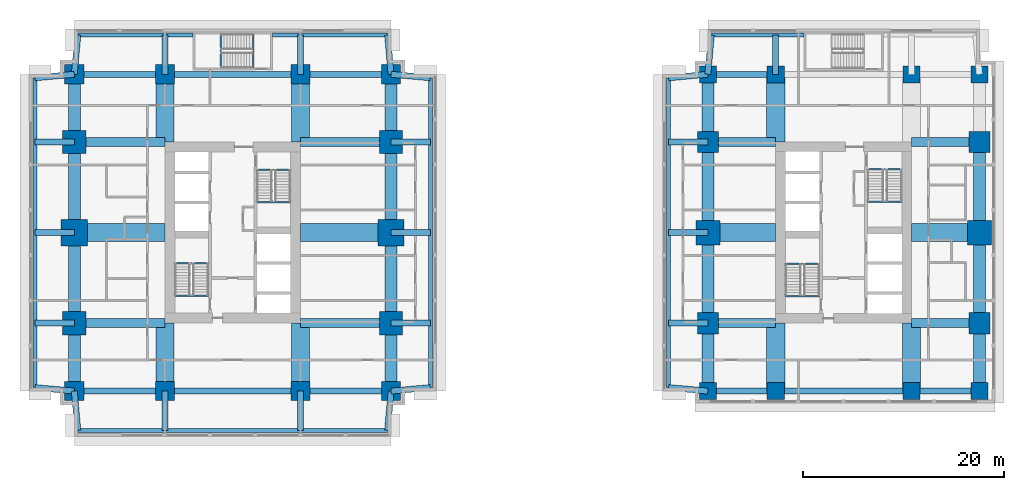
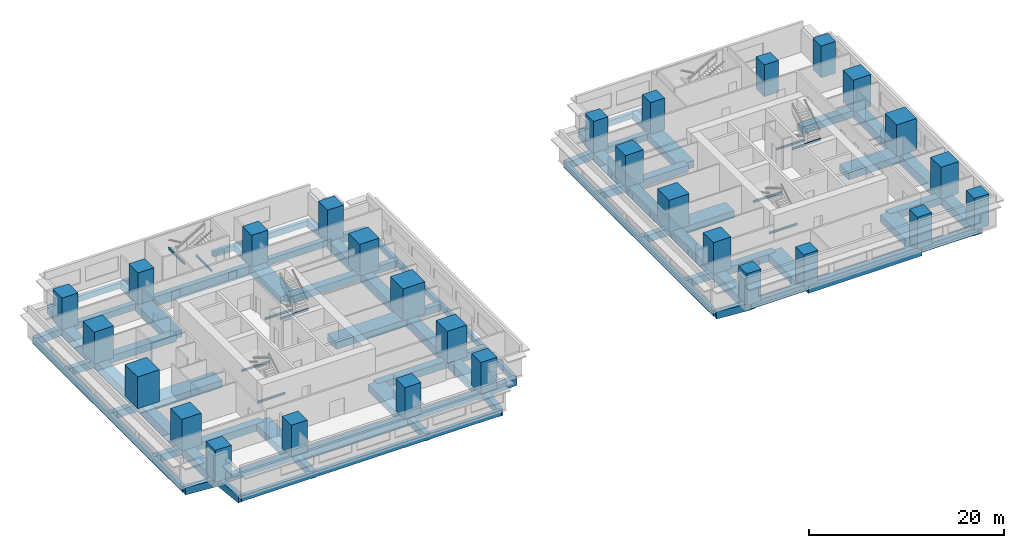
# One storey, part 1 of 11: 86 beams, 28 columns.
"""IFC4 building model written with IfcOpenShell, lengths in metres."""

from ifc_helpers import new_model, si_unit, direction, frame, origin, origin_2d, place, context, subcontext, project, spatial, rectangle, i_section, extrude, material, material_profile, profile_set, type_object, element, save


model = new_model("IFC4")

# Units and contexts
model_context = context("Model", 3, precision=1e-05, world=origin(), true_north=direction((0.0, 1.0)))
body_context = subcontext(model_context, "Body", "Model", "MODEL_VIEW")
ifc_project = project(units=[si_unit("LENGTHUNIT", "METRE"), si_unit("AREAUNIT", "SQUARE_METRE"), si_unit("VOLUMEUNIT", "CUBIC_METRE"), si_unit("PLANEANGLEUNIT", "RADIAN"), si_unit("MASSUNIT", "GRAM", prefix="KILO")], contexts=[model_context])

# Site, building, storey
site_placement = place(None, origin())
site = spatial("IfcSite", under=ifc_project, at=site_placement, CompositionType="ELEMENT")
building_placement = place(site_placement, origin())
building = spatial("IfcBuilding", under=site, at=building_placement, Name="Namib Vertical Campus", CompositionType="ELEMENT")
storey_placement = place(building_placement, frame((0.0, 0.0, 93.0)))
storey = spatial("IfcBuildingStorey", under=building, at=storey_placement, Name="L21", CompositionType="ELEMENT", Elevation=93.0)

# Columns
ifc_material_1 = material(Name="Concrete C60/75", Category="concrete")
ifc_material_profile_1 = material_profile(ifc_material_1, rectangle(XDim=1.699951171875, YDim=1.699951171875, at=origin_2d()))
ifc_profile_set_1 = profile_set([ifc_material_profile_1], Name="Concrete C60/75")
column_type_1 = type_object("IfcColumnType", Name="Column RC 1700x1700", PredefinedType="COLUMN", material=ifc_profile_set_1)
for number, where, z_axis, x_axis, name in (
    (1, (67.5, 4.5, 0.0), (0.0, 0.0, 1.0), (1.0, 0.0, 0.0), "Column C170 L21"),
    (2, (74.25, 4.5, 0.0), (0.0, 0.0, 1.0), (1.0, 0.0, 0.0), "Column C170 L21"),
    (3, (87.75, 4.5, 0.0), (0.0, 0.0, 1.0), (1.0, 0.0, 0.0), "Column C170 L21"),
    (4, (94.5, 4.5, 0.0), (0.0, 0.0, 1.0), (1.0, 0.0, 0.0), "Column C170 L21"),
    (5, (67.5, 36.0, 0.0), (0.0, 0.0, 1.0), (1.0, 0.0, 0.0), "Column C170 L21"),
    (6, (74.25, 36.0, 0.0), (0.0, 0.0, 1.0), (1.0, 0.0, 0.0), "Column C170 L21"),
    (7, (87.75, 36.0, 0.0), (0.0, 0.0, 1.0), (1.0, 0.0, 0.0), "Column C170 L21"),
    (8, (94.5, 36.0, 0.0), (0.0, 0.0, 1.0), (1.0, 0.0, 0.0), "Column C170 L21"),
):
    element("IfcColumn", number, at=place(storey_placement, frame(where, z_axis=z_axis, x_axis=x_axis)), inside=storey, type_object=column_type_1, Name=name, PredefinedType="COLUMN", context=body_context, shape_type="SweptSolid", body=[
        extrude(rectangle(XDim=1.699951171875, YDim=1.699951171875, at=origin_2d()), origin(), (0.0, 0.0, 1.0), 4.0),
    ])
ifc_material_2 = material(Name="Concrete C60/75", Category="concrete")
ifc_material_profile_2 = material_profile(ifc_material_2, rectangle(XDim=1.89990234375, YDim=1.89990234375, at=origin_2d()))
ifc_profile_set_2 = profile_set([ifc_material_profile_2], Name="Concrete C60/75")
column_type_2 = type_object("IfcColumnType", Name="Column RC 1900x1900", PredefinedType="COLUMN", material=ifc_profile_set_2)
for number, where, z_axis, x_axis, name in (
    (9, (4.5, 4.5, 0.0), (0.0, 0.0, 1.0), (1.0, 0.0, 0.0), "Column C190 L21"),
    (10, (13.5, 4.5, 0.0), (0.0, 0.0, 1.0), (1.0, 0.0, 0.0), "Column C190 L21"),
    (11, (27.0, 4.5, 0.0), (0.0, 0.0, 1.0), (1.0, 0.0, 0.0), "Column C190 L21"),
    (12, (36.0, 4.5, 0.0), (0.0, 0.0, 1.0), (1.0, 0.0, 0.0), "Column C190 L21"),
    (13, (4.5, 36.0, 0.0), (0.0, 0.0, 1.0), (1.0, 0.0, 0.0), "Column C190 L21"),
    (14, (13.5, 36.0, 0.0), (0.0, 0.0, 1.0), (1.0, 0.0, 0.0), "Column C190 L21"),
    (15, (27.0, 36.0, 0.0), (0.0, 0.0, 1.0), (1.0, 0.0, 0.0), "Column C190 L21"),
    (16, (36.0, 36.0, 0.0), (0.0, 0.0, 1.0), (1.0, 0.0, 0.0), "Column C190 L21"),
):
    element("IfcColumn", number, at=place(storey_placement, frame(where, z_axis=z_axis, x_axis=x_axis)), inside=storey, type_object=column_type_2, Name=name, PredefinedType="COLUMN", context=body_context, shape_type="SweptSolid", body=[
        extrude(rectangle(XDim=1.89990234375, YDim=1.89990234375, at=origin_2d()), origin(), (0.0, 0.0, 1.0), 4.0),
    ])
ifc_material_3 = material(Name="Concrete C60/75", Category="concrete")
ifc_material_profile_3 = material_profile(ifc_material_3, rectangle(XDim=2.10009765625, YDim=2.10009765625, at=origin_2d()))
ifc_profile_set_3 = profile_set([ifc_material_profile_3], Name="Concrete C60/75")
column_type_3 = type_object("IfcColumnType", Name="Column RC 2100x2100", PredefinedType="COLUMN", material=ifc_profile_set_3)
for number, where, z_axis, x_axis, name in (
    (17, (67.5, 11.25, 0.0), (0.0, 0.0, 1.0), (1.0, 0.0, 0.0), "Column C210 L21"),
    (18, (94.5, 11.25, 0.0), (0.0, 0.0, 1.0), (1.0, 0.0, 0.0), "Column C210 L21"),
    (19, (67.5, 29.25, 0.0), (0.0, 0.0, 1.0), (1.0, 0.0, 0.0), "Column C210 L21"),
    (20, (94.5, 29.25, 0.0), (0.0, 0.0, 1.0), (1.0, 0.0, 0.0), "Column C210 L21"),
):
    element("IfcColumn", number, at=place(storey_placement, frame(where, z_axis=z_axis, x_axis=x_axis)), inside=storey, type_object=column_type_3, Name=name, PredefinedType="COLUMN", context=body_context, shape_type="SweptSolid", body=[
        extrude(rectangle(XDim=2.10009765625, YDim=2.10009765625, at=origin_2d()), origin(), (0.0, 0.0, 1.0), 4.0),
    ])
ifc_material_4 = material(Name="Concrete C60/75", Category="concrete")
ifc_material_profile_4 = material_profile(ifc_material_4, rectangle(XDim=2.300048828125, YDim=2.300048828125, at=origin_2d()))
ifc_profile_set_4 = profile_set([ifc_material_profile_4], Name="Concrete C60/75")
column_type_4 = type_object("IfcColumnType", Name="Column RC 2300x2300", PredefinedType="COLUMN", material=ifc_profile_set_4)
for number, where, z_axis, x_axis, name in (
    (21, (4.5, 11.25, 0.0), (0.0, 0.0, 1.0), (1.0, 0.0, 0.0), "Column C230 L21"),
    (22, (36.0, 11.25, 0.0), (0.0, 0.0, 1.0), (1.0, 0.0, 0.0), "Column C230 L21"),
    (23, (4.5, 29.25, 0.0), (0.0, 0.0, 1.0), (1.0, 0.0, 0.0), "Column C230 L21"),
    (24, (36.0, 29.25, 0.0), (0.0, 0.0, 1.0), (1.0, 0.0, 0.0), "Column C230 L21"),
):
    element("IfcColumn", number, at=place(storey_placement, frame(where, z_axis=z_axis, x_axis=x_axis)), inside=storey, type_object=column_type_4, Name=name, PredefinedType="COLUMN", context=body_context, shape_type="SweptSolid", body=[
        extrude(rectangle(XDim=2.300048828125, YDim=2.300048828125, at=origin_2d()), origin(), (0.0, 0.0, 1.0), 4.0),
    ])
ifc_material_5 = material(Name="Concrete C60/75", Category="concrete")
ifc_material_profile_5 = material_profile(ifc_material_5, rectangle(XDim=2.39990234375, YDim=2.39990234375, at=origin_2d()))
ifc_profile_set_5 = profile_set([ifc_material_profile_5], Name="Concrete C60/75")
column_type_5 = type_object("IfcColumnType", Name="Column RC 2400x2400", PredefinedType="COLUMN", material=ifc_profile_set_5)
for number, where, z_axis, x_axis, name in (
    (25, (67.5, 20.25, 0.0), (0.0, 0.0, 1.0), (1.0, 0.0, 0.0), "Column C240 L21"),
    (26, (94.5, 20.25, 0.0), (0.0, 0.0, 1.0), (1.0, 0.0, 0.0), "Column C240 L21"),
):
    element("IfcColumn", number, at=place(storey_placement, frame(where, z_axis=z_axis, x_axis=x_axis)), inside=storey, type_object=column_type_5, Name=name, PredefinedType="COLUMN", context=body_context, shape_type="SweptSolid", body=[
        extrude(rectangle(XDim=2.39990234375, YDim=2.39990234375, at=origin_2d()), origin(), (0.0, 0.0, 1.0), 4.0),
    ])
ifc_material_6 = material(Name="Concrete C60/75", Category="concrete")
ifc_material_profile_6 = material_profile(ifc_material_6, rectangle(XDim=2.60009765625, YDim=2.60009765625, at=origin_2d()))
ifc_profile_set_6 = profile_set([ifc_material_profile_6], Name="Concrete C60/75")
column_type_6 = type_object("IfcColumnType", Name="Column RC 2600x2600", PredefinedType="COLUMN", material=ifc_profile_set_6)
for number, where, z_axis, x_axis, name in (
    (27, (4.5, 20.25, 0.0), (0.0, 0.0, 1.0), (1.0, 0.0, 0.0), "Column C260 L21"),
    (28, (36.0, 20.25, 0.0), (0.0, 0.0, 1.0), (1.0, 0.0, 0.0), "Column C260 L21"),
):
    element("IfcColumn", number, at=place(storey_placement, frame(where, z_axis=z_axis, x_axis=x_axis)), inside=storey, type_object=column_type_6, Name=name, PredefinedType="COLUMN", context=body_context, shape_type="SweptSolid", body=[
        extrude(rectangle(XDim=2.60009765625, YDim=2.60009765625, at=origin_2d()), origin(), (0.0, 0.0, 1.0), 4.0),
    ])

# Beams
ifc_material_7 = material(Name="Concrete C40/50", Category="concrete")
ifc_material_profile_7 = material_profile(ifc_material_7, rectangle(XDim=0.60009765625, YDim=0.89990234375, at=origin_2d()))
ifc_profile_set_7 = profile_set([ifc_material_profile_7], Name="Concrete C40/50")
beam_type_1 = type_object("IfcBeamType", Name="Cantilever girder RC 600x900", PredefinedType="BEAM", material=ifc_profile_set_7)
beam_1_placement = place(storey_placement, frame((4.5, 4.5, -0.699951171875), z_axis=(0.089411326146, -0.995994786511, 0.0), x_axis=(0.995994786511, 0.089411326146, 0.0)))
element("IfcBeam", 29, at=beam_1_placement, inside=storey, type_object=beam_type_1, Name="Beam B3 L21", PredefinedType="BEAM", context=body_context, shape_type="SweptSolid", body=[
    extrude(rectangle(XDim=0.60009765625, YDim=0.89990234375, at=origin_2d()), origin(), (0.0, 0.0, 1.0), 3.91552734375),
])
for number, where, z_axis, x_axis, name in (
    (30, (13.5, 4.5, -0.699951171875), (0.0, -1.0, 0.0), (1.0, 0.0, 0.0), "Beam B3 L21"),
    (31, (27.0, 4.5, -0.699951171875), (0.0, -1.0, 0.0), (1.0, 0.0, 0.0), "Beam B3 L21"),
):
    element("IfcBeam", number, at=place(storey_placement, frame(where, z_axis=z_axis, x_axis=x_axis)), inside=storey, type_object=beam_type_1, Name=name, PredefinedType="BEAM", context=body_context, shape_type="SweptSolid", body=[
        extrude(rectangle(XDim=0.60009765625, YDim=0.89990234375, at=origin_2d()), origin(), (0.0, 0.0, 1.0), 3.89990234375),
    ])
for number, where, z_axis, x_axis, name in (
    (32, (36.0, 4.5, -0.699951171875), (-0.089411326146, -0.995994786511, 0.0), (0.995994786511, -0.089411326146, 0.0), "Beam B3 L21"),
    (33, (4.5, 36.0, -0.699951171875), (0.089411326146, 0.995994786511, 0.0), (-0.995994786511, 0.089411326146, 0.0), "Beam B3 L21"),
):
    element("IfcBeam", number, at=place(storey_placement, frame(where, z_axis=z_axis, x_axis=x_axis)), inside=storey, type_object=beam_type_1, Name=name, PredefinedType="BEAM", context=body_context, shape_type="SweptSolid", body=[
        extrude(rectangle(XDim=0.60009765625, YDim=0.89990234375, at=origin_2d()), origin(), (0.0, 0.0, 1.0), 3.91552734375),
    ])
for number, where, z_axis, x_axis, name in (
    (34, (13.5, 36.0, -0.699951171875), (0.0, 1.0, 0.0), (-1.0, 0.0, 0.0), "Beam B3 L21"),
    (35, (27.0, 36.0, -0.699951171875), (0.0, 1.0, 0.0), (-1.0, 0.0, 0.0), "Beam B3 L21"),
):
    element("IfcBeam", number, at=place(storey_placement, frame(where, z_axis=z_axis, x_axis=x_axis)), inside=storey, type_object=beam_type_1, Name=name, PredefinedType="BEAM", context=body_context, shape_type="SweptSolid", body=[
        extrude(rectangle(XDim=0.60009765625, YDim=0.89990234375, at=origin_2d()), origin(), (0.0, 0.0, 1.0), 3.89990234375),
    ])
for number, where, z_axis, x_axis, name in (
    (36, (36.0, 36.0, -0.699951171875), (-0.089411326146, 0.995994786511, 0.0), (-0.995994786511, -0.089411326146, 0.0), "Beam B3 L21"),
    (37, (4.5, 4.5, -0.699951171875), (-0.995994786511, 0.089411326146, 0.0), (-0.089411326146, -0.995994786511, 0.0), "Beam B3 L21"),
):
    element("IfcBeam", number, at=place(storey_placement, frame(where, z_axis=z_axis, x_axis=x_axis)), inside=storey, type_object=beam_type_1, Name=name, PredefinedType="BEAM", context=body_context, shape_type="SweptSolid", body=[
        extrude(rectangle(XDim=0.60009765625, YDim=0.89990234375, at=origin_2d()), origin(), (0.0, 0.0, 1.0), 3.91552734375),
    ])
for number, where, z_axis, x_axis, name in (
    (38, (4.5, 11.25, -0.699951171875), (-1.0, 0.0, 0.0), (0.0, -1.0, 0.0), "Beam B3 L21"),
    (39, (4.5, 20.25, -0.699951171875), (-1.0, 0.0, 0.0), (0.0, -1.0, 0.0), "Beam B3 L21"),
    (40, (4.5, 29.25, -0.699951171875), (-1.0, 0.0, 0.0), (0.0, -1.0, 0.0), "Beam B3 L21"),
):
    element("IfcBeam", number, at=place(storey_placement, frame(where, z_axis=z_axis, x_axis=x_axis)), inside=storey, type_object=beam_type_1, Name=name, PredefinedType="BEAM", context=body_context, shape_type="SweptSolid", body=[
        extrude(rectangle(XDim=0.60009765625, YDim=0.89990234375, at=origin_2d()), origin(), (0.0, 0.0, 1.0), 3.89990234375),
    ])
for number, where, z_axis, x_axis, name in (
    (41, (4.5, 36.0, -0.699951171875), (-0.995994786511, -0.089411326146, 0.0), (0.089411326146, -0.995994786511, 0.0), "Beam B3 L21"),
    (42, (36.0, 4.5, -0.699951171875), (0.995994786511, 0.089411326146, 0.0), (-0.089411326146, 0.995994786511, 0.0), "Beam B3 L21"),
):
    element("IfcBeam", number, at=place(storey_placement, frame(where, z_axis=z_axis, x_axis=x_axis)), inside=storey, type_object=beam_type_1, Name=name, PredefinedType="BEAM", context=body_context, shape_type="SweptSolid", body=[
        extrude(rectangle(XDim=0.60009765625, YDim=0.89990234375, at=origin_2d()), origin(), (0.0, 0.0, 1.0), 3.91552734375),
    ])
for number, where, z_axis, x_axis, name in (
    (43, (36.0, 11.25, -0.699951171875), (1.0, 0.0, 0.0), (0.0, 1.0, 0.0), "Beam B3 L21"),
    (44, (36.0, 20.25, -0.699951171875), (1.0, 0.0, 0.0), (0.0, 1.0, 0.0), "Beam B3 L21"),
    (45, (36.0, 29.25, -0.699951171875), (1.0, 0.0, 0.0), (0.0, 1.0, 0.0), "Beam B3 L21"),
):
    element("IfcBeam", number, at=place(storey_placement, frame(where, z_axis=z_axis, x_axis=x_axis)), inside=storey, type_object=beam_type_1, Name=name, PredefinedType="BEAM", context=body_context, shape_type="SweptSolid", body=[
        extrude(rectangle(XDim=0.60009765625, YDim=0.89990234375, at=origin_2d()), origin(), (0.0, 0.0, 1.0), 3.89990234375),
    ])
for number, where, z_axis, x_axis, name in (
    (46, (36.0, 36.0, -0.699951171875), (0.995994786511, -0.089411326146, 0.0), (0.089411326146, 0.995994786511, 0.0), "Beam B3 L21"),
    (47, (67.5, 36.0, -0.699951171875), (0.089411326146, 0.995994786511, 0.0), (-0.995994786511, 0.089411326146, 0.0), "Beam B3 L21"),
):
    element("IfcBeam", number, at=place(storey_placement, frame(where, z_axis=z_axis, x_axis=x_axis)), inside=storey, type_object=beam_type_1, Name=name, PredefinedType="BEAM", context=body_context, shape_type="SweptSolid", body=[
        extrude(rectangle(XDim=0.60009765625, YDim=0.89990234375, at=origin_2d()), origin(), (0.0, 0.0, 1.0), 3.91552734375),
    ])
beam_2_placement = place(storey_placement, frame((74.25, 36.0, -0.699951171875), z_axis=(0.0, 1.0, 0.0), x_axis=(-1.0, 0.0, 0.0)))
element("IfcBeam", 48, at=beam_2_placement, inside=storey, type_object=beam_type_1, Name="Beam B3 L21", PredefinedType="BEAM", context=body_context, shape_type="SweptSolid", body=[
    extrude(rectangle(XDim=0.60009765625, YDim=0.89990234375, at=origin_2d()), origin(), (0.0, 0.0, 1.0), 3.89990234375),
])
beam_3_placement = place(storey_placement, frame((67.5, 4.5, -0.699951171875), z_axis=(-0.995994786511, 0.089411326146, 0.0), x_axis=(-0.089411326146, -0.995994786511, 0.0)))
element("IfcBeam", 49, at=beam_3_placement, inside=storey, type_object=beam_type_1, Name="Beam B3 L21", PredefinedType="BEAM", context=body_context, shape_type="SweptSolid", body=[
    extrude(rectangle(XDim=0.60009765625, YDim=0.89990234375, at=origin_2d()), origin(), (0.0, 0.0, 1.0), 3.91552734375),
])
for number, where, z_axis, x_axis, name in (
    (50, (67.5, 11.25, -0.699951171875), (-1.0, 0.0, 0.0), (0.0, -1.0, 0.0), "Beam B3 L21"),
    (51, (67.5, 20.25, -0.699951171875), (-1.0, 0.0, 0.0), (0.0, -1.0, 0.0), "Beam B3 L21"),
    (52, (67.5, 29.25, -0.699951171875), (-1.0, 0.0, 0.0), (0.0, -1.0, 0.0), "Beam B3 L21"),
):
    element("IfcBeam", number, at=place(storey_placement, frame(where, z_axis=z_axis, x_axis=x_axis)), inside=storey, type_object=beam_type_1, Name=name, PredefinedType="BEAM", context=body_context, shape_type="SweptSolid", body=[
        extrude(rectangle(XDim=0.60009765625, YDim=0.89990234375, at=origin_2d()), origin(), (0.0, 0.0, 1.0), 3.89990234375),
    ])
beam_4_placement = place(storey_placement, frame((67.5, 36.0, -0.699951171875), z_axis=(-0.995994786511, -0.089411326146, 0.0), x_axis=(0.089411326146, -0.995994786511, 0.0)))
element("IfcBeam", 53, at=beam_4_placement, inside=storey, type_object=beam_type_1, Name="Beam B3 L21", PredefinedType="BEAM", context=body_context, shape_type="SweptSolid", body=[
    extrude(rectangle(XDim=0.60009765625, YDim=0.89990234375, at=origin_2d()), origin(), (0.0, 0.0, 1.0), 3.91552734375),
])
ifc_material_8 = material(Name="Concrete C40/50", Category="concrete")
ifc_material_profile_8 = material_profile(ifc_material_8, rectangle(XDim=0.39990234375, YDim=0.699951171875, at=origin_2d()))
ifc_profile_set_8 = profile_set([ifc_material_profile_8], Name="Concrete C40/50")
beam_type_2 = type_object("IfcBeamType", Name="Edge beam RC 400x700", PredefinedType="SPANDREL", material=ifc_profile_set_8)
beam_5_placement = place(storey_placement, frame((4.85009765625, 0.60009765625, -0.60009765625), z_axis=(1.0, 0.0, 0.0), x_axis=(0.0, 1.0, 0.0)))
element("IfcBeam", 54, at=beam_5_placement, inside=storey, type_object=beam_type_2, Name="Beam B4 L21", PredefinedType="SPANDREL", context=body_context, shape_type="SweptSolid", body=[
    extrude(rectangle(XDim=0.39990234375, YDim=0.699951171875, at=origin_2d()), origin(), (0.0, 0.0, 1.0), 30.7998046875),
])
for number, where, z_axis, x_axis, name in (
    (55, (4.85009765625, 39.89990234375, -0.60009765625), (1.0, 0.0, 0.0), (0.0, 1.0, 0.0), "Beam B4 L21"),
    (56, (24.199951171875, 39.89990234375, -0.60009765625), (1.0, 0.0, 0.0), (0.0, 1.0, 0.0), "Beam B4 L21"),
):
    element("IfcBeam", number, at=place(storey_placement, frame(where, z_axis=z_axis, x_axis=x_axis)), inside=storey, type_object=beam_type_2, Name=name, PredefinedType="SPANDREL", context=body_context, shape_type="SweptSolid", body=[
        extrude(rectangle(XDim=0.39990234375, YDim=0.699951171875, at=origin_2d()), origin(), (0.0, 0.0, 1.0), 11.449951171875),
    ])
for number, where, z_axis, x_axis, name in (
    (57, (0.60009765625, 4.85009765625, -0.60009765625), (0.0, 1.0, 0.0), (-1.0, 0.0, 0.0), "Beam B4 L21"),
    (58, (39.89990234375, 4.85009765625, -0.60009765625), (0.0, 1.0, 0.0), (-1.0, 0.0, 0.0), "Beam B4 L21"),
):
    element("IfcBeam", number, at=place(storey_placement, frame(where, z_axis=z_axis, x_axis=x_axis)), inside=storey, type_object=beam_type_2, Name=name, PredefinedType="SPANDREL", context=body_context, shape_type="SweptSolid", body=[
        extrude(rectangle(XDim=0.39990234375, YDim=0.699951171875, at=origin_2d()), origin(), (0.0, 0.0, 1.0), 30.7998046875),
    ])
beam_6_placement = place(storey_placement, frame((67.85009765625, 39.89990234375, -0.60009765625), z_axis=(1.0, 0.0, 0.0), x_axis=(0.0, 1.0, 0.0)))
element("IfcBeam", 59, at=beam_6_placement, inside=storey, type_object=beam_type_2, Name="Beam B4 L21", PredefinedType="SPANDREL", context=body_context, shape_type="SweptSolid", body=[
    extrude(rectangle(XDim=0.39990234375, YDim=0.699951171875, at=origin_2d()), origin(), (0.0, 0.0, 1.0), 9.199951171875),
])
beam_7_placement = place(storey_placement, frame((63.60009765625, 4.85009765625, -0.60009765625), z_axis=(0.0, 1.0, 0.0), x_axis=(-1.0, 0.0, 0.0)))
element("IfcBeam", 60, at=beam_7_placement, inside=storey, type_object=beam_type_2, Name="Beam B4 L21", PredefinedType="SPANDREL", context=body_context, shape_type="SweptSolid", body=[
    extrude(rectangle(XDim=0.39990234375, YDim=0.699951171875, at=origin_2d()), origin(), (0.0, 0.0, 1.0), 30.7998046875),
])
ifc_material_9 = material(Name="Concrete C40/50", Category="concrete")
ifc_material_profile_9 = material_profile(ifc_material_9, rectangle(XDim=0.89990234375, YDim=0.89990234375, at=origin_2d()))
ifc_profile_set_9 = profile_set([ifc_material_profile_9], Name="Concrete C40/50")
beam_type_3 = type_object("IfcBeamType", Name="Face girder RC 900x900", PredefinedType="BEAM", material=ifc_profile_set_9)
for number, where, z_axis, x_axis, name in (
    (61, (4.5, 11.25, -0.699951171875), (1.0, 0.0, 0.0), (0.0, 1.0, 0.0), "Beam B10 L21"),
    (62, (36.0, 11.25, -0.699951171875), (-1.0, 0.0, 0.0), (0.0, -1.0, 0.0), "Beam B10 L21"),
    (63, (4.5, 29.25, -0.699951171875), (1.0, 0.0, 0.0), (0.0, 1.0, 0.0), "Beam B10 L21"),
    (64, (36.0, 29.25, -0.699951171875), (-1.0, 0.0, 0.0), (0.0, -1.0, 0.0), "Beam B10 L21"),
):
    element("IfcBeam", number, at=place(storey_placement, frame(where, z_axis=z_axis, x_axis=x_axis)), inside=storey, type_object=beam_type_3, Name=name, PredefinedType="BEAM", context=body_context, shape_type="SweptSolid", body=[
        extrude(rectangle(XDim=0.89990234375, YDim=0.89990234375, at=origin_2d()), origin(), (0.0, 0.0, 1.0), 9.0),
    ])
for number, where, z_axis, x_axis, name in (
    (65, (67.5, 11.25, -0.699951171875), (1.0, 0.0, 0.0), (0.0, 1.0, 0.0), "Beam B10 L21"),
    (66, (94.5, 11.25, -0.699951171875), (-1.0, 0.0, 0.0), (0.0, -1.0, 0.0), "Beam B10 L21"),
    (67, (67.5, 29.25, -0.699951171875), (1.0, 0.0, 0.0), (0.0, 1.0, 0.0), "Beam B10 L21"),
    (68, (94.5, 29.25, -0.699951171875), (-1.0, 0.0, 0.0), (0.0, -1.0, 0.0), "Beam B10 L21"),
):
    element("IfcBeam", number, at=place(storey_placement, frame(where, z_axis=z_axis, x_axis=x_axis)), inside=storey, type_object=beam_type_3, Name=name, PredefinedType="BEAM", context=body_context, shape_type="SweptSolid", body=[
        extrude(rectangle(XDim=0.89990234375, YDim=0.89990234375, at=origin_2d()), origin(), (0.0, 0.0, 1.0), 6.75),
    ])
ifc_material_10 = material(Name="Concrete C40/50", Category="concrete")
ifc_material_profile_10 = material_profile(ifc_material_10, rectangle(XDim=1.199951171875, YDim=1.10009765625, at=origin_2d()))
ifc_profile_set_10 = profile_set([ifc_material_profile_10], Name="Concrete C40/50")
beam_type_4 = type_object("IfcBeamType", Name="Face ring beam RC 1200x1100", PredefinedType="BEAM", material=ifc_profile_set_10)
beam_8_placement = place(storey_placement, frame((4.5, 4.5, -0.800048828125), z_axis=(0.0, 1.0, 0.0), x_axis=(-1.0, 0.0, 0.0)))
element("IfcBeam", 69, at=beam_8_placement, inside=storey, type_object=beam_type_4, Name="Beam B11 L21", PredefinedType="BEAM", context=body_context, shape_type="SweptSolid", body=[
    extrude(rectangle(XDim=1.199951171875, YDim=1.10009765625, at=origin_2d()), origin(), (0.0, 0.0, 1.0), 6.75),
])
for number, where, z_axis, x_axis, name in (
    (70, (4.5, 11.25, -0.800048828125), (0.0, 1.0, 0.0), (-1.0, 0.0, 0.0), "Beam B11 L21"),
    (71, (4.5, 20.25, -0.800048828125), (0.0, 1.0, 0.0), (-1.0, 0.0, 0.0), "Beam B11 L21"),
):
    element("IfcBeam", number, at=place(storey_placement, frame(where, z_axis=z_axis, x_axis=x_axis)), inside=storey, type_object=beam_type_4, Name=name, PredefinedType="BEAM", context=body_context, shape_type="SweptSolid", body=[
        extrude(rectangle(XDim=1.199951171875, YDim=1.10009765625, at=origin_2d()), origin(), (0.0, 0.0, 1.0), 9.0),
    ])
for number, where, z_axis, x_axis, name in (
    (72, (4.5, 29.25, -0.800048828125), (0.0, 1.0, 0.0), (-1.0, 0.0, 0.0), "Beam B11 L21"),
    (73, (36.0, 4.5, -0.800048828125), (0.0, 1.0, 0.0), (-1.0, 0.0, 0.0), "Beam B11 L21"),
):
    element("IfcBeam", number, at=place(storey_placement, frame(where, z_axis=z_axis, x_axis=x_axis)), inside=storey, type_object=beam_type_4, Name=name, PredefinedType="BEAM", context=body_context, shape_type="SweptSolid", body=[
        extrude(rectangle(XDim=1.199951171875, YDim=1.10009765625, at=origin_2d()), origin(), (0.0, 0.0, 1.0), 6.75),
    ])
for number, where, z_axis, x_axis, name in (
    (74, (36.0, 11.25, -0.800048828125), (0.0, 1.0, 0.0), (-1.0, 0.0, 0.0), "Beam B11 L21"),
    (75, (36.0, 20.25, -0.800048828125), (0.0, 1.0, 0.0), (-1.0, 0.0, 0.0), "Beam B11 L21"),
):
    element("IfcBeam", number, at=place(storey_placement, frame(where, z_axis=z_axis, x_axis=x_axis)), inside=storey, type_object=beam_type_4, Name=name, PredefinedType="BEAM", context=body_context, shape_type="SweptSolid", body=[
        extrude(rectangle(XDim=1.199951171875, YDim=1.10009765625, at=origin_2d()), origin(), (0.0, 0.0, 1.0), 9.0),
    ])
for number, where, z_axis, x_axis, name in (
    (76, (36.0, 29.25, -0.800048828125), (0.0, 1.0, 0.0), (-1.0, 0.0, 0.0), "Beam B11 L21"),
    (77, (67.5, 4.5, -0.800048828125), (0.0, 1.0, 0.0), (-1.0, 0.0, 0.0), "Beam B11 L21"),
):
    element("IfcBeam", number, at=place(storey_placement, frame(where, z_axis=z_axis, x_axis=x_axis)), inside=storey, type_object=beam_type_4, Name=name, PredefinedType="BEAM", context=body_context, shape_type="SweptSolid", body=[
        extrude(rectangle(XDim=1.199951171875, YDim=1.10009765625, at=origin_2d()), origin(), (0.0, 0.0, 1.0), 6.75),
    ])
for number, where, z_axis, x_axis, name in (
    (78, (67.5, 11.25, -0.800048828125), (0.0, 1.0, 0.0), (-1.0, 0.0, 0.0), "Beam B11 L21"),
    (79, (67.5, 20.25, -0.800048828125), (0.0, 1.0, 0.0), (-1.0, 0.0, 0.0), "Beam B11 L21"),
):
    element("IfcBeam", number, at=place(storey_placement, frame(where, z_axis=z_axis, x_axis=x_axis)), inside=storey, type_object=beam_type_4, Name=name, PredefinedType="BEAM", context=body_context, shape_type="SweptSolid", body=[
        extrude(rectangle(XDim=1.199951171875, YDim=1.10009765625, at=origin_2d()), origin(), (0.0, 0.0, 1.0), 9.0),
    ])
for number, where, z_axis, x_axis, name in (
    (80, (67.5, 29.25, -0.800048828125), (0.0, 1.0, 0.0), (-1.0, 0.0, 0.0), "Beam B11 L21"),
    (81, (94.5, 4.5, -0.800048828125), (0.0, 1.0, 0.0), (-1.0, 0.0, 0.0), "Beam B11 L21"),
):
    element("IfcBeam", number, at=place(storey_placement, frame(where, z_axis=z_axis, x_axis=x_axis)), inside=storey, type_object=beam_type_4, Name=name, PredefinedType="BEAM", context=body_context, shape_type="SweptSolid", body=[
        extrude(rectangle(XDim=1.199951171875, YDim=1.10009765625, at=origin_2d()), origin(), (0.0, 0.0, 1.0), 6.75),
    ])
for number, where, z_axis, x_axis, name in (
    (82, (94.5, 11.25, -0.800048828125), (0.0, 1.0, 0.0), (-1.0, 0.0, 0.0), "Beam B11 L21"),
    (83, (94.5, 20.25, -0.800048828125), (0.0, 1.0, 0.0), (-1.0, 0.0, 0.0), "Beam B11 L21"),
):
    element("IfcBeam", number, at=place(storey_placement, frame(where, z_axis=z_axis, x_axis=x_axis)), inside=storey, type_object=beam_type_4, Name=name, PredefinedType="BEAM", context=body_context, shape_type="SweptSolid", body=[
        extrude(rectangle(XDim=1.199951171875, YDim=1.10009765625, at=origin_2d()), origin(), (0.0, 0.0, 1.0), 9.0),
    ])
ifc_material_11 = material(Name="Steel S355JR", Category="steel")
ifc_material_profile_11 = material_profile(ifc_material_11, i_section(OverallWidth=0.14599609375, OverallDepth=0.25146484375, WebThickness=0.006103515625, FlangeThickness=0.008544921875, FilletRadius=0.007568359375, at=origin_2d()))
ifc_profile_set_11 = profile_set([ifc_material_profile_11], Name="Steel S355JR")
beam_type_5 = type_object("IfcBeamType", Name="Landing trimmer UB 254x146x31", PredefinedType="BEAM", material=ifc_profile_set_11)
for number, where, z_axis, x_axis, name in (
    (84, (14.5, 13.97705078125, -0.125732421875), (1.0, 0.0, 0.0), (0.0, 1.0, 0.0), "Landing trimmer LT1 A-S1 L21 1"),
    (85, (14.5, 17.203125, 1.874267578125), (1.0, 0.0, 0.0), (0.0, 1.0, 0.0), "Landing trimmer LT1 A-S1 L21 2"),
    (86, (22.64990234375, 26.52294921875, -0.125732421875), (1.0, 0.0, 0.0), (0.0, 1.0, 0.0), "Landing trimmer LT1 A-S2 L21 1"),
    (87, (22.64990234375, 23.296875, 1.874267578125), (1.0, 0.0, 0.0), (0.0, 1.0, 0.0), "Landing trimmer LT1 A-S2 L21 2"),
):
    element("IfcBeam", number, at=place(storey_placement, frame(where, z_axis=z_axis, x_axis=x_axis)), inside=storey, type_object=beam_type_5, Name=name, PredefinedType="BEAM", context=body_context, shape_type="SweptSolid", body=[
        extrude(i_section(OverallWidth=0.14599609375, OverallDepth=0.25146484375, WebThickness=0.006103515625, FlangeThickness=0.008544921875, FilletRadius=0.007568359375, at=origin_2d()), origin(), (0.0, 0.0, 1.0), 3.35009765625),
    ])
for number, where, z_axis, x_axis, name in (
    (88, (75.199951171875, 13.927001953125, -0.125732421875), (1.0, 0.0, 0.0), (0.0, 1.0, 0.0), "Landing trimmer LT1 B-S1 L21 1"),
    (89, (75.199951171875, 17.153076171875, 1.874267578125), (1.0, 0.0, 0.0), (0.0, 1.0, 0.0), "Landing trimmer LT1 B-S1 L21 2"),
    (90, (83.39990234375, 26.572998046875, -0.125732421875), (1.0, 0.0, 0.0), (0.0, 1.0, 0.0), "Landing trimmer LT1 B-S2 L21 1"),
    (91, (83.39990234375, 23.346923828125, 1.874267578125), (1.0, 0.0, 0.0), (0.0, 1.0, 0.0), "Landing trimmer LT1 B-S2 L21 2"),
):
    element("IfcBeam", number, at=place(storey_placement, frame(where, z_axis=z_axis, x_axis=x_axis)), inside=storey, type_object=beam_type_5, Name=name, PredefinedType="BEAM", context=body_context, shape_type="SweptSolid", body=[
        extrude(i_section(OverallWidth=0.14599609375, OverallDepth=0.25146484375, WebThickness=0.006103515625, FlangeThickness=0.008544921875, FilletRadius=0.007568359375, at=origin_2d()), origin(), (0.0, 0.0, 1.0), 3.400146484375),
    ])
for number, where, z_axis, x_axis, name in (
    (92, (22.27294921875, 36.64990234375, -0.125732421875), (0.0, 1.0, 0.0), (-1.0, 0.0, 0.0), "Landing trimmer LT1 A-S3 L21 1"),
    (93, (19.046875, 36.64990234375, 1.874267578125), (0.0, 1.0, 0.0), (-1.0, 0.0, 0.0), "Landing trimmer LT1 A-S3 L21 2"),
):
    element("IfcBeam", number, at=place(storey_placement, frame(where, z_axis=z_axis, x_axis=x_axis)), inside=storey, type_object=beam_type_5, Name=name, PredefinedType="BEAM", context=body_context, shape_type="SweptSolid", body=[
        extrude(i_section(OverallWidth=0.14599609375, OverallDepth=0.25146484375, WebThickness=0.006103515625, FlangeThickness=0.008544921875, FilletRadius=0.007568359375, at=origin_2d()), origin(), (0.0, 0.0, 1.0), 3.35009765625),
    ])
ifc_material_12 = material(Name="Concrete C40/50", Category="concrete")
ifc_material_profile_12 = material_profile(ifc_material_12, rectangle(XDim=0.60009765625, YDim=1.199951171875, at=origin_2d()))
ifc_profile_set_12 = profile_set([ifc_material_profile_12], Name="Concrete C40/50")
beam_type_6 = type_object("IfcBeamType", Name="Long-span ring beam RC 600x1200", PredefinedType="BEAM", material=ifc_profile_set_12)
for number, where, z_axis, x_axis, name in (
    (94, (13.5, 4.5, -0.85009765625), (1.0, 0.0, 0.0), (0.0, 1.0, 0.0), "Beam B9 L21"),
    (95, (13.5, 36.0, -0.85009765625), (1.0, 0.0, 0.0), (0.0, 1.0, 0.0), "Beam B9 L21"),
    (96, (74.25, 4.5, -0.85009765625), (1.0, 0.0, 0.0), (0.0, 1.0, 0.0), "Beam B9 L21"),
):
    element("IfcBeam", number, at=place(storey_placement, frame(where, z_axis=z_axis, x_axis=x_axis)), inside=storey, type_object=beam_type_6, Name=name, PredefinedType="BEAM", context=body_context, shape_type="SweptSolid", body=[
        extrude(rectangle(XDim=0.60009765625, YDim=1.199951171875, at=origin_2d()), origin(), (0.0, 0.0, 1.0), 13.5),
    ])
ifc_material_13 = material(Name="Concrete C40/50", Category="concrete")
ifc_material_profile_13 = material_profile(ifc_material_13, rectangle(XDim=1.800048828125, YDim=0.89990234375, at=origin_2d()))
ifc_profile_set_13 = profile_set([ifc_material_profile_13], Name="Concrete C40/50")
beam_type_7 = type_object("IfcBeamType", Name="Outrigger line girder RC 1800x900", PredefinedType="BEAM", material=ifc_profile_set_13)
for number, where, z_axis, x_axis, name in (
    (97, (13.5, 4.5, -0.699951171875), (0.0, 1.0, 0.0), (-1.0, 0.0, 0.0), "Beam B12 L21"),
    (98, (13.5, 36.0, -0.699951171875), (0.0, -1.0, 0.0), (1.0, 0.0, 0.0), "Beam B12 L21"),
    (99, (27.0, 4.5, -0.699951171875), (0.0, 1.0, 0.0), (-1.0, 0.0, 0.0), "Beam B12 L21"),
    (100, (27.0, 36.0, -0.699951171875), (0.0, -1.0, 0.0), (1.0, 0.0, 0.0), "Beam B12 L21"),
):
    element("IfcBeam", number, at=place(storey_placement, frame(where, z_axis=z_axis, x_axis=x_axis)), inside=storey, type_object=beam_type_7, Name=name, PredefinedType="BEAM", context=body_context, shape_type="SweptSolid", body=[
        extrude(rectangle(XDim=1.800048828125, YDim=0.89990234375, at=origin_2d()), origin(), (0.0, 0.0, 1.0), 6.75),
    ])
for number, where, z_axis, x_axis, name in (
    (101, (4.5, 20.25, -0.699951171875), (1.0, 0.0, 0.0), (0.0, 1.0, 0.0), "Beam B12 L21"),
    (102, (36.0, 20.25, -0.699951171875), (-1.0, 0.0, 0.0), (0.0, -1.0, 0.0), "Beam B12 L21"),
):
    element("IfcBeam", number, at=place(storey_placement, frame(where, z_axis=z_axis, x_axis=x_axis)), inside=storey, type_object=beam_type_7, Name=name, PredefinedType="BEAM", context=body_context, shape_type="SweptSolid", body=[
        extrude(rectangle(XDim=1.800048828125, YDim=0.89990234375, at=origin_2d()), origin(), (0.0, 0.0, 1.0), 9.0),
    ])
for number, where, z_axis, x_axis, name in (
    (103, (74.25, 4.5, -0.699951171875), (0.0, 1.0, 0.0), (-1.0, 0.0, 0.0), "Beam B12 L21"),
    (104, (74.25, 36.0, -0.699951171875), (0.0, -1.0, 0.0), (1.0, 0.0, 0.0), "Beam B12 L21"),
    (105, (87.75, 4.5, -0.699951171875), (0.0, 1.0, 0.0), (-1.0, 0.0, 0.0), "Beam B12 L21"),
    (106, (67.5, 20.25, -0.699951171875), (1.0, 0.0, 0.0), (0.0, 1.0, 0.0), "Beam B12 L21"),
    (107, (94.5, 20.25, -0.699951171875), (-1.0, 0.0, 0.0), (0.0, -1.0, 0.0), "Beam B12 L21"),
):
    element("IfcBeam", number, at=place(storey_placement, frame(where, z_axis=z_axis, x_axis=x_axis)), inside=storey, type_object=beam_type_7, Name=name, PredefinedType="BEAM", context=body_context, shape_type="SweptSolid", body=[
        extrude(rectangle(XDim=1.800048828125, YDim=0.89990234375, at=origin_2d()), origin(), (0.0, 0.0, 1.0), 6.75),
    ])
ifc_material_14 = material(Name="Concrete C40/50", Category="concrete")
ifc_material_profile_14 = material_profile(ifc_material_14, rectangle(XDim=0.60009765625, YDim=0.800048828125, at=origin_2d()))
ifc_profile_set_14 = profile_set([ifc_material_profile_14], Name="Concrete C40/50")
beam_type_8 = type_object("IfcBeamType", Name="Ring beam RC 600x800", PredefinedType="BEAM", material=ifc_profile_set_14)
for number, where, z_axis, x_axis, name in (
    (108, (4.5, 4.5, -0.64990234375), (1.0, 0.0, 0.0), (0.0, 1.0, 0.0), "Beam B1 L21"),
    (109, (27.0, 4.5, -0.64990234375), (1.0, 0.0, 0.0), (0.0, 1.0, 0.0), "Beam B1 L21"),
    (110, (4.5, 36.0, -0.64990234375), (1.0, 0.0, 0.0), (0.0, 1.0, 0.0), "Beam B1 L21"),
    (111, (27.0, 36.0, -0.64990234375), (1.0, 0.0, 0.0), (0.0, 1.0, 0.0), "Beam B1 L21"),
):
    element("IfcBeam", number, at=place(storey_placement, frame(where, z_axis=z_axis, x_axis=x_axis)), inside=storey, type_object=beam_type_8, Name=name, PredefinedType="BEAM", context=body_context, shape_type="SweptSolid", body=[
        extrude(rectangle(XDim=0.60009765625, YDim=0.800048828125, at=origin_2d()), origin(), (0.0, 0.0, 1.0), 9.0),
    ])
for number, where, z_axis, x_axis, name in (
    (112, (67.5, 4.5, -0.64990234375), (1.0, 0.0, 0.0), (0.0, 1.0, 0.0), "Beam B1 L21"),
    (113, (87.75, 4.5, -0.64990234375), (1.0, 0.0, 0.0), (0.0, 1.0, 0.0), "Beam B1 L21"),
    (114, (67.5, 36.0, -0.64990234375), (1.0, 0.0, 0.0), (0.0, 1.0, 0.0), "Beam B1 L21"),
):
    element("IfcBeam", number, at=place(storey_placement, frame(where, z_axis=z_axis, x_axis=x_axis)), inside=storey, type_object=beam_type_8, Name=name, PredefinedType="BEAM", context=body_context, shape_type="SweptSolid", body=[
        extrude(rectangle(XDim=0.60009765625, YDim=0.800048828125, at=origin_2d()), origin(), (0.0, 0.0, 1.0), 6.75),
    ])

save(model, "model.ifc")
